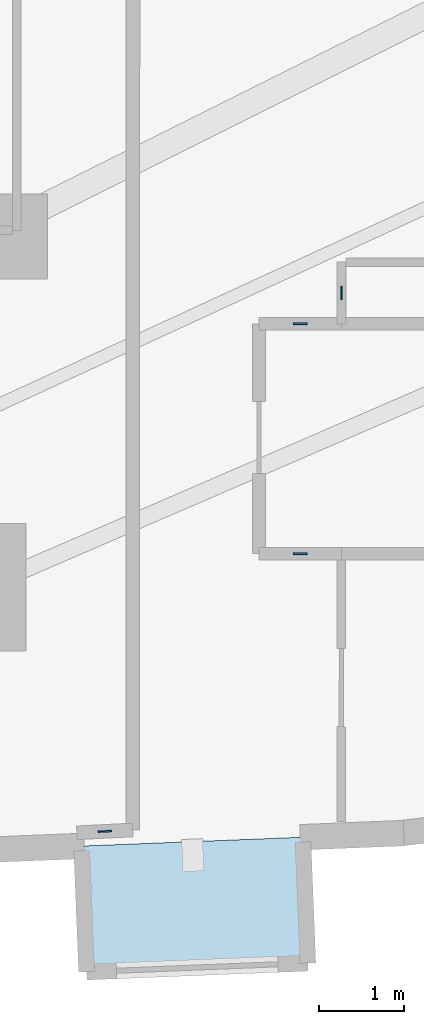
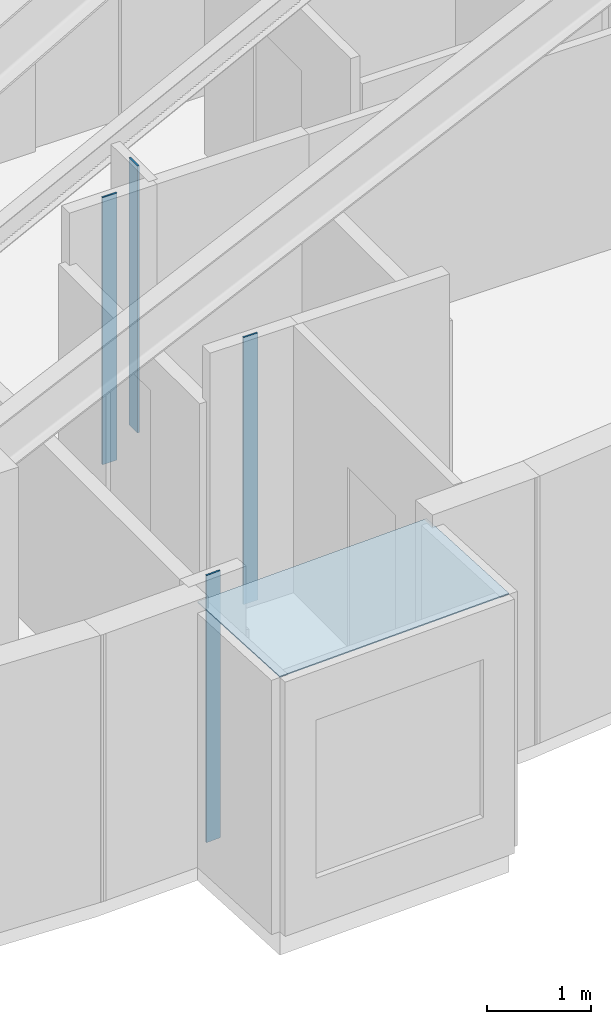
# One storey, part 3 of 16: 5 plates.
"""IFC4 building model written with IfcOpenShell, lengths in metres."""

from ifc_helpers import new_model, si_unit, direction, frame, origin, origin_2d, place, context, subcontext, project, spatial, polyline, rectangle, outline, extrude, material, layer, layer_set, type_object, element, save


model = new_model("IFC4")

# Units and contexts
model_context = context("Model", 3, precision=1e-05, world=origin(), true_north=direction((0.0, 1.0)))
body_context = subcontext(model_context, "Body", "Model", "MODEL_VIEW")
ifc_project = project(units=[si_unit("LENGTHUNIT", "METRE"), si_unit("AREAUNIT", "SQUARE_METRE"), si_unit("VOLUMEUNIT", "CUBIC_METRE"), si_unit("PLANEANGLEUNIT", "RADIAN"), si_unit("MASSUNIT", "GRAM", prefix="KILO")], contexts=[model_context])

# Site, building, storey
site_placement = place(None, origin())
site = spatial("IfcSite", under=ifc_project, at=site_placement, CompositionType="ELEMENT")
building_placement = place(site_placement, origin())
building = spatial("IfcBuilding", under=site, at=building_placement, Name="Miruveldt Soraemaru", CompositionType="ELEMENT")
storey_placement = place(building_placement, frame((0.0, 0.0, 42.800048828125)))
storey = spatial("IfcBuildingStorey", under=building, at=storey_placement, Name="L11", CompositionType="ELEMENT", Elevation=42.800048828125)

# Plates
ifc_material_1 = material(Name="Anodised aluminium EN AW-6063 T6", Category="aluminium")
ifc_layer_1 = layer(ifc_material_1, 0.02001953125, Name="Anodised aluminium EN AW-6063 T6", Category="aluminium")
ifc_layer_set_1 = layer_set([ifc_layer_1], Name="Anodised aluminium EN AW-6063 T6")
plate_type_1 = type_object("IfcPlateType", Name="PLT-PART-TRIM", PredefinedType="SHEET", material=ifc_layer_set_1)
for number, where, z_axis, x_axis, name in (
    (1, (47.720947265625, 28.47509765625, 0.0), (0.0, 0.0, 1.0), (-1.0, 0.0, 0.0), "L11 Partition Step Corner Trim Plate 112"),
    (2, (47.720947265625, 25.77490234375, 0.0), (0.0, 0.0, 1.0), (1.0, 0.0, 0.0), "L11 Partition Step Corner Trim Plate 114"),
    (3, (48.2060546875, 28.83740234375, 0.0), (0.0, 0.0, 1.0), (0.0, 1.0, 0.0), "L11 Partition Step Corner Trim Plate 120"),
    (4, (45.4248046875, 22.511474609375, 0.0), (0.0, 0.0, 1.0), (-0.998728172107, -0.050418629896, 0.0), "L11 Partition Step Corner Trim Plate 003"),
):
    element("IfcPlate", number, at=place(storey_placement, frame(where, z_axis=z_axis, x_axis=x_axis)), inside=storey, type_object=plate_type_1, Name=name, PredefinedType="SHEET", context=body_context, shape_type="SweptSolid", body=[
        extrude(rectangle(XDim=0.159912109375, YDim=0.02001953125, at=origin_2d()), origin(), (0.0, 0.0, 1.0), 3.125),
    ])
ifc_material_2 = material(Name="Standing-seam titanium-zinc sheet", Category="aluminium")
ifc_layer_2 = layer(ifc_material_2, 0.011962890625, Name="Standing-seam titanium-zinc sheet", Category="aluminium")
ifc_layer_set_2 = layer_set([ifc_layer_2], Name="Standing-seam titanium-zinc sheet")
plate_type_2 = type_object("IfcPlateType", Name="PLT-ZINC-12", PredefinedType="SHEET", material=ifc_layer_set_2)
plate_placement = place(storey_placement, frame((0.0, 0.0, 2.974853515625)))
element("IfcPlate", 5, at=plate_placement, inside=storey, type_object=plate_type_2, Name="L11 Bay Window Zinc Hood Sheet 2", PredefinedType="SHEET", context=body_context, shape_type="SweptSolid", body=[
    extrude(outline(polyline([(45.15283203125, 22.339111328125), (47.750732421875, 22.44287109375), (47.809814453125, 20.964111328125), (45.2119140625, 20.860107421875), (45.15283203125, 22.339111328125)])), origin(), (0.0, 0.0, 1.0), 0.01220703125),
])

save(model, "model.ifc")
